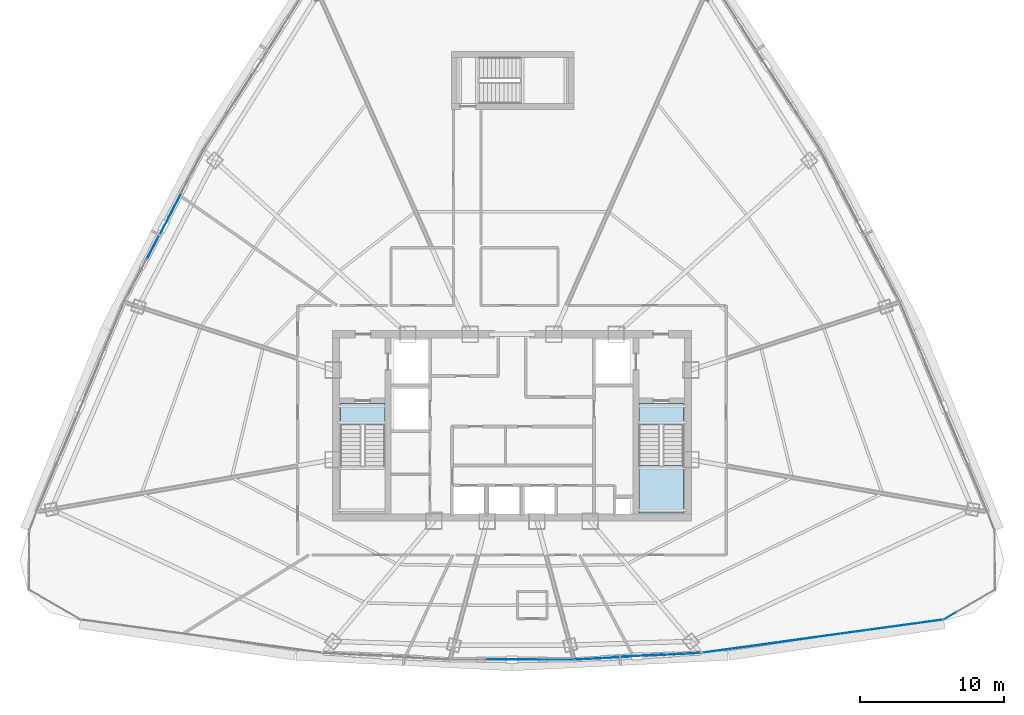
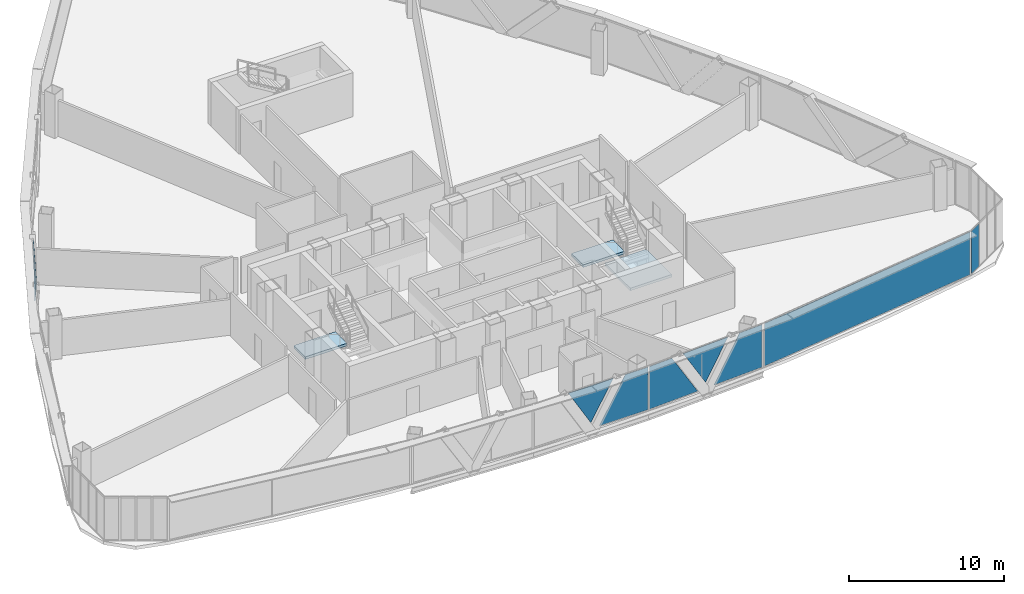
# One storey, part 27 of 36: 8 plates, 3 slabs, 7 elements without a shape of their own.
"""IFC4 building model written with IfcOpenShell, lengths in metres."""

from ifc_helpers import new_model, si_unit, direction, frame, origin, origin_2d, place, context, subcontext, project, spatial, polyline, rectangle, outline, extrude, source, transform, mapped, material, layer, layer_set, type_object, element, aggregate, save


model = new_model("IFC4")

# Units and contexts
model_context = context("Model", 3, precision=1e-05, world=origin(), true_north=direction((0.0, 1.0)))
body_context = subcontext(model_context, "Body", "Model", "MODEL_VIEW")
ifc_project = project(units=[si_unit("LENGTHUNIT", "METRE"), si_unit("AREAUNIT", "SQUARE_METRE"), si_unit("VOLUMEUNIT", "CUBIC_METRE"), si_unit("PLANEANGLEUNIT", "RADIAN"), si_unit("MASSUNIT", "GRAM", prefix="KILO"), si_unit("THERMODYNAMICTEMPERATUREUNIT", "KELVIN"), si_unit("POWERUNIT", "WATT")], contexts=[model_context])

# Site, building, storey
site_placement = place(None, origin())
site = spatial("IfcSite", under=ifc_project, at=site_placement, CompositionType="ELEMENT")
building_placement = place(site_placement, origin())
building = spatial("IfcBuilding", under=site, at=building_placement, Name="Yunzhuo Pagoda Commons", CompositionType="ELEMENT")
storey_placement = place(building_placement, frame((0.0, 0.0, 263.179931640625)))
storey = spatial("IfcBuildingStorey", under=building, at=storey_placement, Name="L66", CompositionType="ELEMENT", Elevation=263.179931640625)

# Curtain wall, plates
ifc_material_1 = material(Name="Anodized aluminium 6063-T6", Category="aluminium")
ifc_layer_1 = layer(ifc_material_1, 0.139892578125)
ifc_layer_set_1 = layer_set([ifc_layer_1], Name="Anodized aluminium 6063-T6")
curtain_wall_type_1 = type_object("IfcCurtainWallType", Name="CW-HI High-Zone Ribbon Curtain Wall", PredefinedType="NOTDEFINED", material=ifc_layer_set_1)
curtain_wall_1_placement = place(storey_placement, origin())
curtain_wall_1 = element("IfcCurtainWall", 1, at=curtain_wall_1_placement, inside=storey, type_object=curtain_wall_type_1, Name="L66 curtain wall CW-L66-F1B3", PredefinedType="NOTDEFINED")
ifc_material_2 = material(Name="Tempered low-e double glazing", Category="glass")
ifc_layer_2 = layer(ifc_material_2, 0.02587890625)
ifc_layer_set_2 = layer_set([ifc_layer_2], Name="Tempered low-e double glazing")
plate_type_1 = type_object("IfcPlateType", Name="CW-HI-P Low-E Double Glazing 26", PredefinedType="CURTAIN_PANEL", material=ifc_layer_set_2)
plate_1_placement = place(storey_placement, frame((48.0, 17.68359375, 1.957763671875), z_axis=(0.0, -1.0, 0.0), x_axis=(1.0, 0.0, 0.0)))
plate_1 = element("IfcPlate", 2, at=plate_1_placement, type_object=plate_type_1, Name="CW panel 1.1 lite 2", PredefinedType="CURTAIN_PANEL", context=body_context, shape_type="SweptSolid", body=[
    extrude(outline(polyline([(-1.681396484375, 1.457275390625), (0.0, -1.457275390625), (1.681396484375, 1.457275390625), (-1.681396484375, 1.457275390625)])), origin(), (0.0, 0.0, 1.0), 0.028076171875),
])
plate_2_placement = place(storey_placement, frame((50.431884765625, 17.65380859375, 1.735107421875), z_axis=(0.0, -1.0, 0.0), x_axis=(1.0, 0.0, 0.0)))
plate_2 = element("IfcPlate", 3, at=plate_2_placement, type_object=plate_type_1, Name="CW panel 1.1 lite 3", PredefinedType="CURTAIN_PANEL", context=body_context, shape_type="SweptSolid", body=[
    extrude(outline(polyline([(-1.811279296875, -1.679931640625), (1.811279296875, -1.679931640625), (1.811279296875, 1.679931640625), (0.126953125, 1.679931640625), (-1.811279296875, -1.679931640625)])), origin(), (0.0, 0.0, 1.0), 0.028076171875),
])
aggregate(curtain_wall_1, [plate_1, plate_2])

curtain_wall_2_placement = place(storey_placement, origin())
curtain_wall_2 = element("IfcCurtainWall", 4, at=curtain_wall_2_placement, inside=storey, type_object=curtain_wall_type_1, Name="L66 curtain wall CW-L66-F1B4", PredefinedType="NOTDEFINED")
plate_3_placement = place(storey_placement, frame((54.21435546875, 17.755859375, 1.735107421875), z_axis=(0.053427477858, -0.998571732331, 0.0), x_axis=(0.998571732331, 0.053427477858, 0.0)))
plate_3 = element("IfcPlate", 5, at=plate_3_placement, type_object=plate_type_1, Name="CW panel 1.1 lite 1", PredefinedType="CURTAIN_PANEL", context=body_context, shape_type="SweptSolid", body=[
    extrude(outline(polyline([(-1.8544921875, -1.679931640625), (1.8544921875, -1.679931640625), (-0.125244140625, 1.679931640625), (-1.8544921875, 1.679931640625), (-1.8544921875, -1.679931640625)])), origin(), (0.0, 0.0, 1.0), 0.028076171875),
])
plate_4_placement = place(storey_placement, frame((56.6904296875, 17.91845703125, 1.951904296875), z_axis=(0.053427477858, -0.998571732331, 0.0), x_axis=(0.998571732331, 0.053427477858, 0.0)))
plate_4 = element("IfcPlate", 6, at=plate_4_placement, type_object=plate_type_1, Name="CW panel 1.1 lite 2", PredefinedType="CURTAIN_PANEL", context=body_context, shape_type="SweptSolid", body=[
    extrude(outline(polyline([(-1.724365234375, 1.46337890625), (0.0, -1.46337890625), (1.724365234375, 1.46337890625), (-1.724365234375, 1.46337890625)])), origin(), (0.0, 0.0, 1.0), 0.028076171875),
])
plate_5_placement = place(storey_placement, frame((59.169677734375, 18.02099609375, 1.735107421875), z_axis=(0.053427477858, -0.998571732331, 0.0), x_axis=(0.998571732331, 0.053427477858, 0.0)))
plate_5 = element("IfcPlate", 7, at=plate_5_placement, type_object=plate_type_1, Name="CW panel 1.1 lite 3", PredefinedType="CURTAIN_PANEL", context=body_context, shape_type="SweptSolid", body=[
    extrude(outline(polyline([(-1.8544921875, -1.679931640625), (1.8544921875, -1.679931640625), (1.8544921875, 1.679931640625), (0.125244140625, 1.679931640625), (-1.8544921875, -1.679931640625)])), origin(), (0.0, 0.0, 1.0), 0.028076171875),
])
aggregate(curtain_wall_2, [plate_3, plate_4, plate_5])

# Curtain wall, plate
curtain_wall_3_placement = place(storey_placement, origin())
curtain_wall_3 = element("IfcCurtainWall", 8, at=curtain_wall_3_placement, inside=storey, type_object=curtain_wall_type_1, Name="L66 curtain wall CW-L66-F3B3", PredefinedType="NOTDEFINED")
plate_6_placement = place(storey_placement, frame((23.894287109375, 47.679931640625, 1.882568359375), z_axis=(-0.886066126675, 0.46355886267, 0.0), x_axis=(-0.46355886267, -0.886066126675, 0.0)))
plate_6 = element("IfcPlate", 9, at=plate_6_placement, type_object=plate_type_1, Name="CW panel 1.1 lite 2", PredefinedType="CURTAIN_PANEL", context=body_context, shape_type="SweptSolid", body=[
    extrude(outline(polyline([(-2.439453125, 1.532470703125), (0.0, -1.532470703125), (2.439453125, 1.532470703125), (-2.439453125, 1.532470703125)])), origin(), (0.0, 0.0, 1.0), 0.028076171875),
])
aggregate(curtain_wall_3, [plate_6])

# Stair, slab
ifc_material_3 = material(Name="Concrete C40", Category="concrete")
stair_type_1 = type_object("IfcStairType", Name="ST-C1 Core Smokeproof Stair ST1", PredefinedType="HALF_TURN_STAIR", material=ifc_material_3)
stair_1_placement = place(storey_placement, origin())
stair_1 = element("IfcStair", 10, at=stair_1_placement, inside=storey, type_object=stair_type_1, Name="L66 Core smokeproof stair ST1", PredefinedType="HALF_TURN_STAIR")
ifc_layer_3 = layer(ifc_material_3, 0.199951171875)
ifc_layer_set_3 = layer_set([ifc_layer_3], Name="Concrete C40")
slab_type_1 = type_object("IfcSlabType", Name="SL-LND1 Stair Landing Slab 200", PredefinedType="LANDING", material=ifc_layer_set_3)
slab_1_placement = place(storey_placement, frame((0.0, 0.0, -0.199951171875)))
slab_1 = element("IfcSlab", 11, at=slab_1_placement, type_object=slab_type_1, Name="ST1 floor landing L66", PredefinedType="LANDING", context=body_context, shape_type="SweptSolid", body=[
    extrude(outline(polyline([(36.10009765625, 35.39990234375), (36.10009765625, 33.89990234375), (39.199951171875, 33.89990234375), (39.199951171875, 35.39990234375), (36.10009765625, 35.39990234375)])), origin(), (0.0, 0.0, 1.0), 0.199951171875),
])
aggregate(stair_1, [slab_1])

# Stair, slabs
stair_type_2 = type_object("IfcStairType", Name="ST-C2 Core Smokeproof Stair ST2", PredefinedType="HALF_TURN_STAIR", material=ifc_material_3)
stair_2_placement = place(storey_placement, origin())
stair_2 = element("IfcStair", 12, at=stair_2_placement, inside=storey, type_object=stair_type_2, Name="L66 Core smokeproof stair ST2", PredefinedType="HALF_TURN_STAIR")
ifc_layer_4 = layer(ifc_material_3, 0.201904296875)
ifc_layer_set_4 = layer_set([ifc_layer_4], Name="Concrete C40")
slab_type_2 = type_object("IfcSlabType", Name="SL-LND2 Stair Landing Slab 202", PredefinedType="LANDING", material=ifc_layer_set_4)
slab_2_placement = place(storey_placement, frame((0.0, 0.0, 1.6650390625)))
slab_2 = element("IfcSlab", 13, at=slab_2_placement, type_object=slab_type_2, Name="ST2 landing 1", PredefinedType="LANDING", context=body_context, shape_type="SweptSolid", body=[
    extrude(outline(polyline([(56.800048828125, 31.10009765625), (56.800048828125, 27.800048828125), (59.89990234375, 27.800048828125), (59.89990234375, 31.10009765625), (56.800048828125, 31.10009765625)])), origin(), (0.0, 0.0, 1.0), 0.199951171875),
])
slab_3_placement = place(storey_placement, frame((0.0, 0.0, -0.199951171875)))
slab_3 = element("IfcSlab", 14, at=slab_3_placement, type_object=slab_type_2, Name="ST2 floor landing L66", PredefinedType="LANDING", context=body_context, shape_type="SweptSolid", body=[
    extrude(outline(polyline([(56.800048828125, 35.39990234375), (56.800048828125, 33.89990234375), (59.89990234375, 33.89990234375), (59.89990234375, 35.39990234375), (56.800048828125, 35.39990234375)])), origin(), (0.0, 0.0, 1.0), 0.199951171875),
])
aggregate(stair_2, [slab_2, slab_3])

# Curtain wall, plate
curtain_wall_4_placement = place(storey_placement, origin())
curtain_wall_4 = element("IfcCurtainWall", 15, at=curtain_wall_4_placement, inside=storey, type_object=curtain_wall_type_1, Name="L66 curtain wall CW-L66-F1B5", PredefinedType="NOTDEFINED")
shared_shape_1 = source(origin(), body_context, "Body", "SweptSolid", [
    extrude(rectangle(XDim=16.80810546875, YDim=0.028076171875, at=origin_2d()), origin(), (0.0, 0.0, 1.0), 3.360107421875),
])
plate_7_placement = place(storey_placement, frame((69.541748046875, 19.271484375, 0.05517578125), z_axis=(0.0, 0.0, 1.0), x_axis=(0.990695234776, 0.136099051399, 0.0)))
plate_7 = element("IfcPlate", 16, at=plate_7_placement, type_object=plate_type_1, Name="CW panel 1.1", PredefinedType="CURTAIN_PANEL", context=body_context, shape_type="MappedRepresentation", body=[
    mapped(shared_shape_1, transform((0.0, 0.0, 0.0), scale=1.0)),
])
aggregate(curtain_wall_4, [plate_7])

ifc_layer_5 = layer(ifc_material_1, 0.1298828125)
ifc_layer_set_5 = layer_set([ifc_layer_5], Name="Anodized aluminium 6063-T6")
curtain_wall_type_2 = type_object("IfcCurtainWallType", Name="CW-VTX Rounded Corner Curtain Wall", PredefinedType="NOTDEFINED", material=ifc_layer_set_5)
curtain_wall_5_placement = place(storey_placement, origin())
curtain_wall_5 = element("IfcCurtainWall", 17, at=curtain_wall_5_placement, inside=storey, type_object=curtain_wall_type_2, Name="L66 curtain wall CW-L66-VTX2S1", PredefinedType="NOTDEFINED")
ifc_layer_6 = layer(ifc_material_2, 0.02587890625)
ifc_layer_set_6 = layer_set([ifc_layer_6], Name="Tempered low-e double glazing")
plate_type_2 = type_object("IfcPlateType", Name="CW-VTX-P Low-E Double Glazing 26", PredefinedType="CURTAIN_PANEL", material=ifc_layer_set_6)
shared_shape_2 = source(origin(), body_context, "Body", "SweptSolid", [
    extrude(rectangle(XDim=0.955810546875, YDim=0.028076171875, at=origin_2d()), origin(), (0.0, 0.0, 1.0), 3.360107421875),
])
plate_8_placement = place(storey_placement, frame((78.38818359375, 20.6904296875, 0.05517578125), z_axis=(0.0, 0.0, 1.0), x_axis=(0.865431780539, 0.501026778958, 0.0)))
plate_8 = element("IfcPlate", 18, at=plate_8_placement, type_object=plate_type_2, Name="CW panel 1.1", PredefinedType="CURTAIN_PANEL", context=body_context, shape_type="MappedRepresentation", body=[
    mapped(shared_shape_2, transform((0.0, 0.0, 0.0), scale=1.0)),
])
aggregate(curtain_wall_5, [plate_8])

save(model, "model.ifc")
